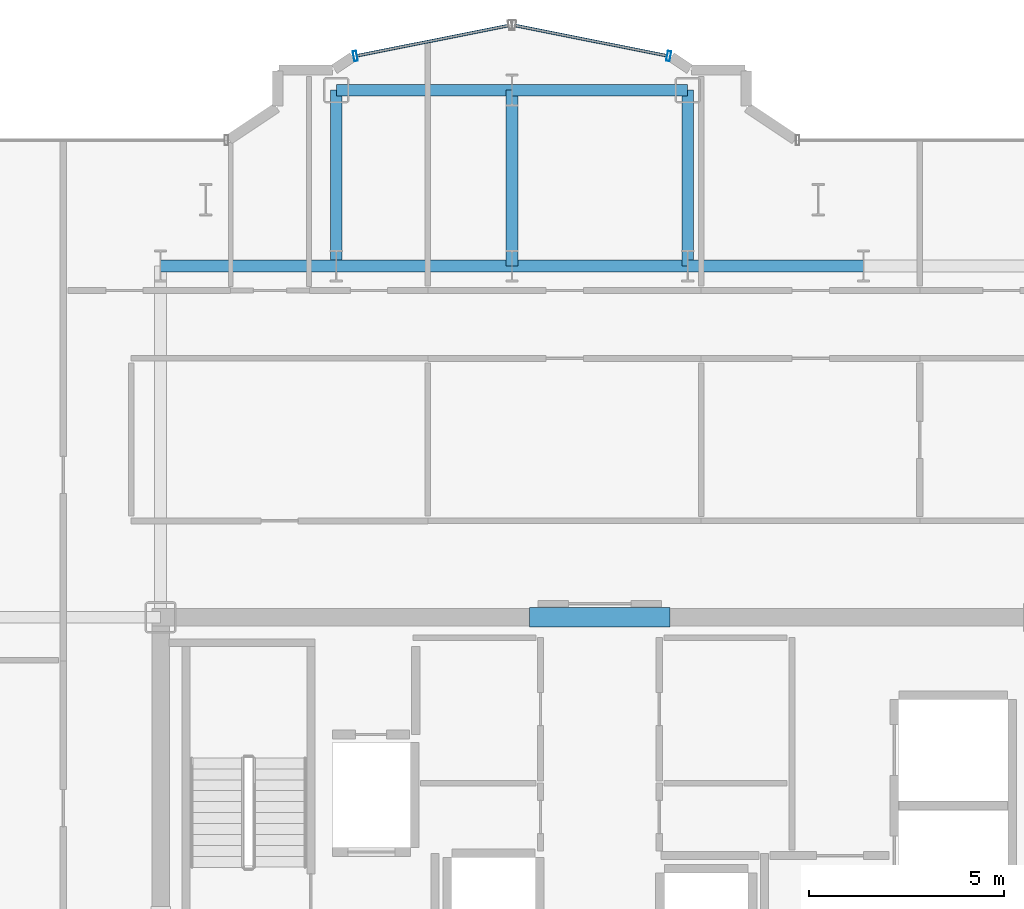
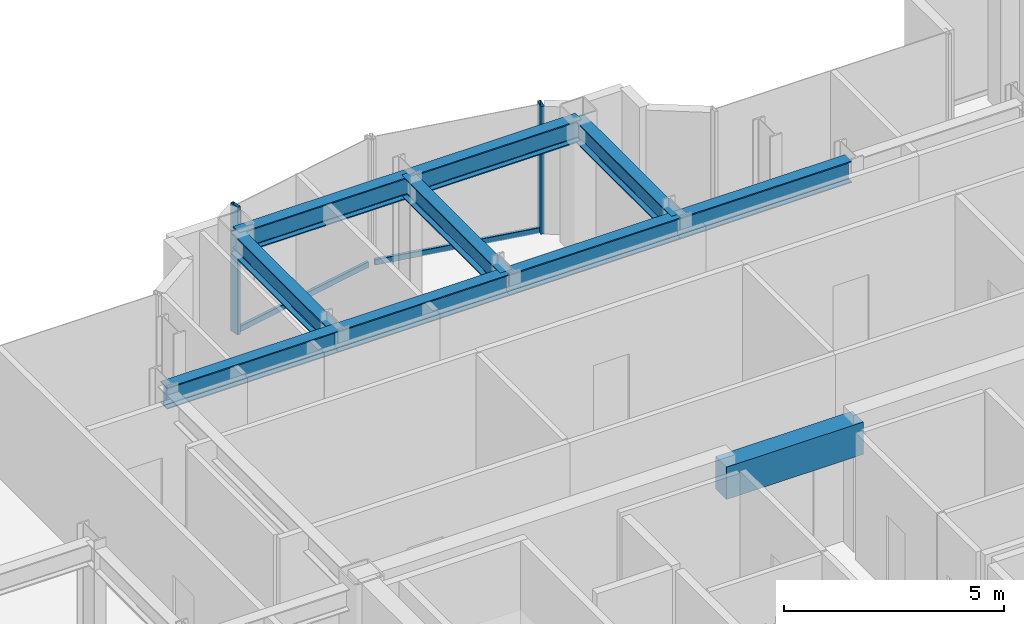
# One storey, part 10 of 21: 10 beams, 4 members, 2 elements without a shape of their own.
"""IFC4 building model written with IfcOpenShell, lengths in metres."""

import ifcopenshell
import ifcopenshell.guid

model = None  # the IFC model being written
_history = None  # IfcOwnerHistory: only IFC2X3 demands one
_inside = {}  # id of a spatial element -> (the spatial element, [elements in it])
_under = {}  # id of a project, library or spatial element -> (it, [spatial elements below it])
_declared = {}  # id of a project -> (the project, [libraries it declares])
_typed = {}  # id of a type object -> (the type object, [elements of that type])
_made_of = {}  # id of a material, layer set ... -> (it, [elements and type objects made of it])


def new_model(schema):
    """Start an empty IFC model of exactly this schema.

    Asked for "IFC4X3", IfcOpenShell would pick the latest addendum, in which some entities
    have other attributes; the version numbers below select the first issue.
    IFC2X3 requires an IfcOwnerHistory on every rooted entity: one is made here for all.
    """
    global model, _history
    if schema == "IFC4X3":
        model = ifcopenshell.file(schema_version=(4, 3, 0, 0))
    else:
        model = ifcopenshell.file(schema=schema)
    _inside.clear()
    _under.clear()
    _declared.clear()
    _typed.clear()
    _made_of.clear()
    _history = None
    if model.schema == "IFC2X3":
        org = make("IfcOrganization", Name="unknown")
        user = make(
            "IfcPersonAndOrganization",
            ThePerson=make("IfcPerson", FamilyName="unknown"),
            TheOrganization=org,
        )
        app = make(
            "IfcApplication",
            ApplicationDeveloper=org,
            Version="unknown",
            ApplicationFullName="unknown",
            ApplicationIdentifier="unknown",
        )
        _history = make(
            "IfcOwnerHistory",
            OwningUser=user,
            OwningApplication=app,
            ChangeAction="ADDED",
            CreationDate=0,
        )
    return model


def make(cls, **values):
    """One entity of the class cls with the attributes given. An attribute that is None is left unset."""
    return model.create_entity(
        cls, **{name: value for name, value in values.items() if value is not None}
    )


def rooted(cls, **values):
    """An entity with a GlobalId (a new one), such as an element, a storey or a relation."""
    return make(cls, GlobalId=ifcopenshell.guid.new(), OwnerHistory=_history, **values)


def si_unit(unit_type, name, prefix=None):
    """IfcSIUnit, for example si_unit("LENGTHUNIT", "METRE", prefix="MILLI")."""
    return make("IfcSIUnit", UnitType=unit_type, Prefix=prefix, Name=name)


def assignment(units):
    """IfcUnitAssignment: the units of a project."""
    return None if units is None else make("IfcUnitAssignment", Units=units)


def point(xyz):
    """IfcCartesianPoint."""
    return None if xyz is None else make("IfcCartesianPoint", Coordinates=xyz)


def direction(xyz):
    """IfcDirection."""
    return None if xyz is None else make("IfcDirection", DirectionRatios=xyz)


def frame(location, z_axis=None, x_axis=None):
    """IfcAxis2Placement3D, a coordinate frame: its origin and axes. An axis left out is left unset."""
    return make(
        "IfcAxis2Placement3D",
        Location=point(location),
        Axis=direction(z_axis),
        RefDirection=direction(x_axis),
    )


def frame_2d(location, x_axis=None):
    """IfcAxis2Placement2D, a coordinate frame in the plane: its origin and x axis."""
    return make(
        "IfcAxis2Placement2D", Location=point(location), RefDirection=direction(x_axis)
    )


def origin():
    """The frame at (0, 0, 0) with its axes left unset."""
    return frame((0.0, 0.0, 0.0))


def origin_2d():
    """The frame at (0, 0) in the plane with its x axis left unset."""
    return frame_2d((0.0, 0.0))


def place(relative_to, where):
    """IfcLocalPlacement: puts the frame where relative to a parent placement (None: the world)."""
    return make(
        "IfcLocalPlacement", PlacementRelTo=relative_to, RelativePlacement=where
    )


def context(
    kind, dimensions, precision=None, world=None, true_north=None, identifier=None
):
    """IfcGeometricRepresentationContext, for example the 3D "Model" context."""
    return make(
        "IfcGeometricRepresentationContext",
        ContextIdentifier=identifier,
        ContextType=kind,
        CoordinateSpaceDimension=dimensions,
        Precision=precision,
        WorldCoordinateSystem=world,
        TrueNorth=true_north,
    )


def subcontext(parent, identifier, kind, view, scale=None):
    """IfcGeometricRepresentationSubContext, for example "Body" below "Model"."""
    return make(
        "IfcGeometricRepresentationSubContext",
        ContextIdentifier=identifier,
        ContextType=kind,
        ParentContext=parent,
        TargetScale=scale,
        TargetView=view,
    )


def project(units=None, contexts=None):
    """IfcProject with its units and contexts."""
    return rooted(
        "IfcProject",
        Name="project",
        RepresentationContexts=contexts,
        UnitsInContext=assignment(units),
    )


def spatial(cls, under=None, at=None, **own):
    """A site, building, storey or space (cls), placed at a placement, below another one or the project."""
    s = rooted(cls, ObjectPlacement=at, **own)
    if under is not None:
        _under.setdefault(under.id(), (under, []))[1].append(s)
    return s


def profile(cls, at=None, kind="AREA", **sizes):
    """A parametric profile (cls). Its sizes go by their IFC names, for example OverallWidth=200.0."""
    return make(cls, ProfileType=kind, Position=at, **sizes)


def rectangle(**sizes):
    """IfcRectangleProfileDef."""
    return profile("IfcRectangleProfileDef", **sizes)


def hollow_rectangle(**sizes):
    """IfcRectangleHollowProfileDef."""
    return profile("IfcRectangleHollowProfileDef", **sizes)


def i_section(**sizes):
    """IfcIShapeProfileDef."""
    return profile("IfcIShapeProfileDef", **sizes)


def extrude(swept, where, along, depth):
    """IfcExtrudedAreaSolid: the profile swept, set in the frame where, extruded along a direction by depth."""
    return make(
        "IfcExtrudedAreaSolid",
        SweptArea=swept,
        Position=where,
        ExtrudedDirection=direction(along),
        Depth=depth,
    )


def shape(context_of_items, identifier, shape_type, items):
    """IfcShapeRepresentation: the items that make up one representation, for example the "Body"."""
    return make(
        "IfcShapeRepresentation",
        ContextOfItems=context_of_items,
        RepresentationIdentifier=identifier,
        RepresentationType=shape_type,
        Items=items,
    )


def source(mapping_origin, context_of_items, identifier, shape_type, items):
    """IfcRepresentationMap: a shape defined once, which mapped items show again and again."""
    return make(
        "IfcRepresentationMap",
        MappingOrigin=mapping_origin,
        MappedRepresentation=shape(context_of_items, identifier, shape_type, items),
    )


def transform(
    local_origin,
    x_axis=None,
    y_axis=None,
    z_axis=None,
    scale=None,
    scale2=None,
    scale3=None,
    uniform=True,
):
    """IfcCartesianTransformationOperator3D, or its non-uniform kind. x_axis, y_axis, z_axis: its Axis1, 2, 3."""
    if uniform:
        return make(
            "IfcCartesianTransformationOperator3D",
            Axis1=direction(x_axis),
            Axis2=direction(y_axis),
            LocalOrigin=point(local_origin),
            Scale=scale,
            Axis3=direction(z_axis),
        )
    return make(
        "IfcCartesianTransformationOperator3DnonUniform",
        Axis1=direction(x_axis),
        Axis2=direction(y_axis),
        LocalOrigin=point(local_origin),
        Scale=scale,
        Axis3=direction(z_axis),
        Scale2=scale2,
        Scale3=scale3,
    )


def mapped(mapping_source, mapping_target):
    """IfcMappedItem: shows the shape of a source again, moved by a transform."""
    return make(
        "IfcMappedItem", MappingSource=mapping_source, MappingTarget=mapping_target
    )


def material(Name=None, Category=None):
    """IfcMaterial."""
    return make("IfcMaterial", Name=Name, Category=Category)


def layer(
    of_material, thickness, ventilated=None, Name=None, Category=None, Priority=None
):
    """IfcMaterialLayer: one layer of a wall or slab, of a material (None: an air gap)."""
    return make(
        "IfcMaterialLayer",
        Material=of_material,
        LayerThickness=thickness,
        IsVentilated=ventilated,
        Name=Name,
        Category=Category,
        Priority=Priority,
    )


def layer_set(layers, Name=None):
    """IfcMaterialLayerSet."""
    return make("IfcMaterialLayerSet", MaterialLayers=layers, LayerSetName=Name)


def material_profile(
    of_material, cross_section, Name=None, Category=None, Priority=None
):
    """IfcMaterialProfile: a cross section and its material."""
    return make(
        "IfcMaterialProfile",
        Name=Name,
        Material=of_material,
        Profile=cross_section,
        Priority=Priority,
        Category=Category,
    )


def profile_set(profiles, Name=None, composite=None):
    """IfcMaterialProfileSet."""
    return make(
        "IfcMaterialProfileSet",
        Name=Name,
        MaterialProfiles=profiles,
        CompositeProfile=composite,
    )


def made_of(thing, what):
    """Note that an element or type object is made of a material, layer set ...; save() writes the relation."""
    if what is not None:
        _made_of.setdefault(what.id(), (what, []))[1].append(thing)
    return thing


def type_object(cls, material=None, **own):
    """A type object (cls), such as IfcWallType, which elements share."""
    return made_of(rooted(cls, **own), material)


def element(
    cls,
    number,
    at=None,
    inside=None,
    cuts=None,
    type_object=None,
    material=None,
    context=None,
    identifier="Body",
    shape_type=None,
    held_by="IfcProductDefinitionShape",
    body=None,
    shapes=None,
    **own,
):
    """One element of the class cls, such as IfcWall. Its Tag is "e" and its number.

    at: its placement. inside: the storey or other place that contains it. cuts: it is an
    opening in that element (IfcRelVoidsElement). A single representation is given by context,
    identifier, shape_type and body (its items); several are given by shapes. held_by: the class
    of the entity that holds the representations. save() writes the other relations.
    """
    e = rooted(cls, Tag="e%d" % number, ObjectPlacement=at, **own)
    if body is not None:
        shapes = [shape(context, identifier, shape_type, body)]
    if shapes is not None:
        e.Representation = make(held_by, Representations=shapes)
    if inside is not None:
        _inside.setdefault(inside.id(), (inside, []))[1].append(e)
    if cuts is not None:
        rooted(
            "IfcRelVoidsElement", RelatingBuildingElement=cuts, RelatedOpeningElement=e
        )
    if type_object is not None:
        _typed.setdefault(type_object.id(), (type_object, []))[1].append(e)
    return made_of(e, material)


def aggregate(whole, parts):
    """IfcRelAggregates: a whole, such as a stair, and the parts it consists of."""
    return rooted("IfcRelAggregates", RelatingObject=whole, RelatedObjects=parts)


def save(model, path):
    """Write the relations noted so far, then the file.

    IfcRelAggregates (storeys below a building ...), IfcRelContainedInSpatialStructure (elements
    in a storey), IfcRelDefinesByType, IfcRelAssociatesMaterial and IfcRelDeclares: one each for
    every whole, place, type object, material and project.
    """
    for whole, parts in _under.values():
        aggregate(whole, parts)
    for where, things in _inside.values():
        rooted(
            "IfcRelContainedInSpatialStructure",
            RelatedElements=things,
            RelatingStructure=where,
        )
    for kind, things in _typed.values():
        rooted("IfcRelDefinesByType", RelatedObjects=things, RelatingType=kind)
    for what, things in _made_of.values():
        rooted("IfcRelAssociatesMaterial", RelatedObjects=things, RelatingMaterial=what)
    for by, libraries in _declared.values():
        rooted("IfcRelDeclares", RelatingContext=by, RelatedDefinitions=libraries)
    model.write(path)


model = new_model("IFC4")

# Units and contexts
model_context = context("Model", 3, precision=1e-05, world=origin(), true_north=direction((0.0, 1.0)))
body_context = subcontext(model_context, "Body", "Model", "MODEL_VIEW")
ifc_project = project(units=[si_unit("LENGTHUNIT", "METRE"), si_unit("AREAUNIT", "SQUARE_METRE"), si_unit("VOLUMEUNIT", "CUBIC_METRE"), si_unit("PLANEANGLEUNIT", "RADIAN"), si_unit("MASSUNIT", "GRAM", prefix="KILO")], contexts=[model_context])

# Site, building, storey
site_placement = place(None, origin())
site = spatial("IfcSite", under=ifc_project, at=site_placement, CompositionType="ELEMENT")
building_placement = place(site_placement, origin())
building = spatial("IfcBuilding", under=site, at=building_placement, Name="Nefas-Gora Pilgrimage Tower", CompositionType="ELEMENT")
storey_placement = place(building_placement, frame((0.0, 0.0, 252.199951171875)))
storey = spatial("IfcBuildingStorey", under=building, at=storey_placement, Name="L63", CompositionType="ELEMENT", Elevation=252.199951171875)

# Beams
ifc_material_1 = material(Name="Concrete C50/60", Category="concrete")
ifc_material_profile_1 = material_profile(ifc_material_1, rectangle(XDim=0.5, YDim=0.89990234375, at=origin_2d()), Name="RC 500x900")
ifc_profile_set_1 = profile_set([ifc_material_profile_1], Name="Concrete C50/60")
beam_type_1 = type_object("IfcBeamType", Name="BM-LIN-RC900", PredefinedType="LINTEL", material=ifc_profile_set_1)
shared_shape_1 = source(origin(), body_context, "Body", "SweptSolid", [
    extrude(rectangle(XDim=0.5, YDim=0.89990234375, at=origin_2d()), origin(), (0.0, 0.0, 1.0), 3.60009765625),
])
beam_placement = place(storey_placement, frame((-1.800048828125, 9.0, 3.10009765625), z_axis=(1.0, 0.0, 0.0), x_axis=(0.0, 1.0, 0.0)))
element("IfcBeam", 1, at=beam_placement, inside=storey, type_object=beam_type_1, Name="L63 Core Coupling Lintel Beam N", PredefinedType="LINTEL", context=body_context, shape_type="MappedRepresentation", body=[
    mapped(shared_shape_1, transform((0.0, 0.0, 0.0), x_axis=(1.0, 0.0, 0.0), y_axis=(0.0, 1.0, 0.0), z_axis=(0.0, 0.0, 1.0), scale=1.0)),
])
ifc_material_2 = material(Name="Steel S355", Category="steel")
ifc_material_profile_2 = material_profile(ifc_material_2, i_section(OverallWidth=0.300048828125, OverallDepth=0.60009765625, WebThickness=0.015380859375, FlangeThickness=0.030029296875, FilletRadius=0.027099609375, at=origin_2d()), Name="HEB 600")
ifc_profile_set_2 = profile_set([ifc_material_profile_2], Name="Steel S355")
beam_type_2 = type_object("IfcBeamType", Name="BM-GIR-HEB600", PredefinedType="BEAM", material=ifc_profile_set_2)
shared_shape_2 = source(origin(), body_context, "Body", "SweptSolid", [
    extrude(i_section(OverallWidth=0.300048828125, OverallDepth=0.60009765625, WebThickness=0.015380859375, FlangeThickness=0.030029296875, FilletRadius=0.027099609375, at=origin_2d()), origin(), (0.0, 0.0, 1.0), 4.5),
])
for number, where, z_axis, x_axis, name in (
    (2, (-11.25, 18.0, 3.25), (1.0, 0.0, 0.0), (0.0, 1.0, 0.0), "L63 G-04 beam"),
    (3, (-6.75, 18.0, 3.25), (0.0, 1.0, 0.0), (-1.0, 0.0, 0.0), "L63 G-04 beam"),
    (4, (-6.75, 18.0, 3.25), (1.0, 0.0, 0.0), (0.0, 1.0, 0.0), "L63 G-04 beam"),
    (5, (-6.75, 22.5, 3.25), (1.0, 0.0, 0.0), (0.0, 1.0, 0.0), "L63 G-04 beam"),
    (6, (-2.25, 18.0, 3.25), (0.0, 1.0, 0.0), (-1.0, 0.0, 0.0), "L63 G-04 beam"),
    (7, (-2.25, 18.0, 3.25), (1.0, 0.0, 0.0), (0.0, 1.0, 0.0), "L63 G-04 beam"),
    (8, (-2.25, 22.5, 3.25), (1.0, 0.0, 0.0), (0.0, 1.0, 0.0), "L63 G-04 beam"),
    (9, (2.25, 18.0, 3.25), (0.0, 1.0, 0.0), (-1.0, 0.0, 0.0), "L63 G-04 beam"),
    (10, (2.25, 18.0, 3.25), (1.0, 0.0, 0.0), (0.0, 1.0, 0.0), "L63 G-04 beam"),
):
    element("IfcBeam", number, at=place(storey_placement, frame(where, z_axis=z_axis, x_axis=x_axis)), inside=storey, type_object=beam_type_2, Name=name, PredefinedType="BEAM", context=body_context, shape_type="MappedRepresentation", body=[
        mapped(shared_shape_2, transform((0.0, 0.0, 0.0), x_axis=(1.0, 0.0, 0.0), y_axis=(0.0, 1.0, 0.0), z_axis=(0.0, 0.0, 1.0), scale=1.0)),
    ])

# Curtain wall, member
ifc_material_3 = material(Name="Dark ceramic-fritted solar-control aluminium-glass curtain wall", Category="aluminium")
ifc_layer = layer(ifc_material_3, 0.219970703125)
ifc_layer_set = layer_set([ifc_layer], Name="Dark ceramic-fritted solar-control aluminium-glass curtain wall")
curtain_wall_type = type_object("IfcCurtainWallType", Name="CW-SYS-5", PredefinedType="NOTDEFINED", material=ifc_layer_set)
curtain_wall_1_placement = place(storey_placement, origin())
curtain_wall_1 = element("IfcCurtainWall", 11, at=curtain_wall_1_placement, inside=storey, type_object=curtain_wall_type, Name="L63 Unitised Curtain Wall CW5", PredefinedType="NOTDEFINED")
ifc_material_4 = material(Name="Anodised architectural aluminium", Category="aluminium")
ifc_material_profile_3 = material_profile(ifc_material_4, hollow_rectangle(XDim=0.090087890625, YDim=0.260009765625, WallThickness=0.006103515625, InnerFilletRadius=0.006103515625, OuterFilletRadius=0.011962890625, at=origin_2d()), Name="ALU MULLION 90x260")
ifc_profile_set_3 = profile_set([ifc_material_profile_3], Name="Anodised architectural aluminium")
member_type_1 = type_object("IfcMemberType", Name="CWM-MUL-5", PredefinedType="MULLION", material=ifc_profile_set_3)
shared_shape_3 = source(origin(), body_context, "Body", "SweptSolid", [
    extrude(hollow_rectangle(XDim=0.090087890625, YDim=0.260009765625, WallThickness=0.006103515625, InnerFilletRadius=0.006103515625, OuterFilletRadius=0.011962890625, at=origin_2d()), origin(), (0.0, 0.0, 1.0), 3.550048828125),
])
member_1_placement = place(storey_placement, frame((1.76318359375, 23.3740234375, 0.0), z_axis=(0.0, 0.0, 1.0), x_axis=(-0.980782896852, 0.195102304554, 0.0)))
member_1 = element("IfcMember", 12, at=member_1_placement, type_object=member_type_1, Name="CW5 Mullion 1", PredefinedType="MULLION", context=body_context, shape_type="MappedRepresentation", body=[
    mapped(shared_shape_3, transform((0.0, 0.0, 0.0), x_axis=(1.0, 0.0, 0.0), y_axis=(0.0, 1.0, 0.0), z_axis=(0.0, 0.0, 1.0), scale=1.0)),
])

curtain_wall_2_placement = place(storey_placement, origin())
curtain_wall_2 = element("IfcCurtainWall", 13, at=curtain_wall_2_placement, inside=storey, type_object=curtain_wall_type, Name="L63 Unitised Curtain Wall CW5", PredefinedType="NOTDEFINED")
member_2_placement = place(storey_placement, frame((-6.26318359375, 23.3740234375, 0.0), z_axis=(0.0, 0.0, 1.0), x_axis=(-0.980782896852, -0.195102304554, 0.0)))
member_2 = element("IfcMember", 14, at=member_2_placement, type_object=member_type_1, Name="CW5 Mullion 2", PredefinedType="MULLION", context=body_context, shape_type="MappedRepresentation", body=[
    mapped(shared_shape_3, transform((0.0, 0.0, 0.0), x_axis=(1.0, 0.0, 0.0), y_axis=(0.0, 1.0, 0.0), z_axis=(0.0, 0.0, 1.0), scale=1.0)),
])

# Member
ifc_material_profile_4 = material_profile(ifc_material_4, hollow_rectangle(XDim=0.080078125, YDim=0.159912109375, WallThickness=0.00439453125, InnerFilletRadius=0.00439453125, OuterFilletRadius=0.009033203125, at=origin_2d()), Name="ALU TRANSOM 80x160")
ifc_profile_set_4 = profile_set([ifc_material_profile_4], Name="Anodised architectural aluminium")
member_type_2 = type_object("IfcMemberType", Name="CWM-TRN-5", PredefinedType="USERDEFINED", material=ifc_profile_set_4)
shared_shape_4 = source(origin(), body_context, "Body", "SweptSolid", [
    extrude(hollow_rectangle(XDim=0.080078125, YDim=0.159912109375, WallThickness=0.00439453125, InnerFilletRadius=0.00439453125, OuterFilletRadius=0.009033203125, at=origin_2d()), origin(), (0.0, 0.0, 1.0), 3.95654296875),
])
member_3_placement = place(storey_placement, frame((1.718994140625, 23.3828125, 0.050048828125), z_axis=(-0.980781880918, 0.195107411605, 0.0), x_axis=(-0.195107411605, -0.980781880918, 0.0)))
member_3 = element("IfcMember", 15, at=member_3_placement, type_object=member_type_2, Name="CW5 Spandrel Transom", ObjectType="TRANSOM", PredefinedType="USERDEFINED", context=body_context, shape_type="MappedRepresentation", body=[
    mapped(shared_shape_4, transform((0.0, 0.0, 0.0), x_axis=(1.0, 0.0, 0.0), y_axis=(0.0, 1.0, 0.0), z_axis=(0.0, 0.0, 1.0), scale=1.0)),
])

aggregate(curtain_wall_1, [member_1, member_3])

member_4_placement = place(storey_placement, frame((-2.33837890625, 24.15478515625, 0.050048828125), z_axis=(-0.980781880918, -0.195107411605, 0.0), x_axis=(0.195107411605, -0.980781880918, 0.0)))
member_4 = element("IfcMember", 16, at=member_4_placement, type_object=member_type_2, Name="CW5 Spandrel Transom", ObjectType="TRANSOM", PredefinedType="USERDEFINED", context=body_context, shape_type="MappedRepresentation", body=[
    mapped(shared_shape_4, transform((0.0, 0.0, 0.0), x_axis=(1.0, 0.0, 0.0), y_axis=(0.0, 1.0, 0.0), z_axis=(0.0, 0.0, 1.0), scale=1.0)),
])

aggregate(curtain_wall_2, [member_2, member_4])

save(model, "model.ifc")
